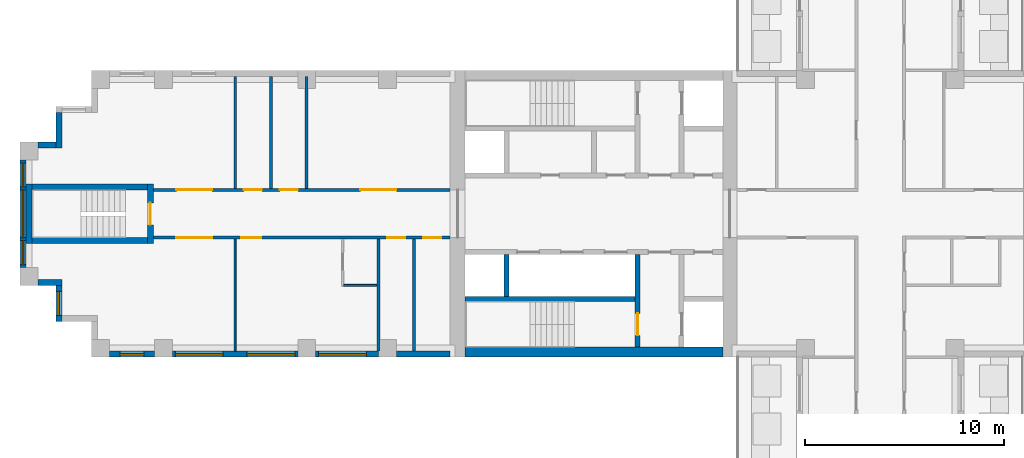
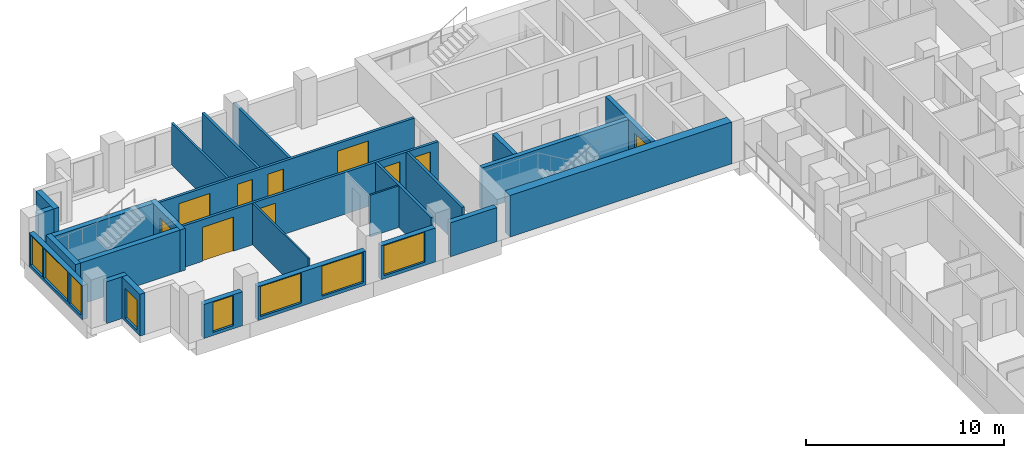
# One storey, part 5 of 13: 26 walls, 10 doors, 8 windows, 18 openings.
"""IFC4 building model written with IfcOpenShell, lengths in metres."""

from ifc_helpers import new_model, si_unit, direction, frame, frame_2d, origin, place, context, subcontext, project, spatial, rectangle, extrude, material, layer, layer_set, type_object, element, fill, save


model = new_model("IFC4")

# Units and contexts
model_context = context("Model", 3, precision=1e-05, world=origin(), true_north=direction((0.0, 1.0)))
body_context = subcontext(model_context, "Body", "Model", "MODEL_VIEW")
ifc_project = project(units=[si_unit("LENGTHUNIT", "METRE"), si_unit("AREAUNIT", "SQUARE_METRE"), si_unit("VOLUMEUNIT", "CUBIC_METRE"), si_unit("PLANEANGLEUNIT", "RADIAN"), si_unit("MASSUNIT", "GRAM", prefix="KILO")], contexts=[model_context])

# Site, building, storey
site_placement = place(None, origin())
site = spatial("IfcSite", under=ifc_project, at=site_placement, CompositionType="ELEMENT")
building_placement = place(site_placement, origin())
building = spatial("IfcBuilding", under=site, at=building_placement, Name="Fustian Cross Tower", CompositionType="ELEMENT")
storey_placement = place(building_placement, frame((0.0, 0.0, 75.89990234375)))
storey = spatial("IfcBuildingStorey", under=building, at=storey_placement, Name="L23", CompositionType="ELEMENT", Elevation=75.89990234375)

# Wall, openings, doors
ifc_material_1 = material(Name="Plasterboard on steel stud", Category="steel")
ifc_layer_1 = layer(ifc_material_1, 0.14990234375)
ifc_layer_set_1 = layer_set([ifc_layer_1], Name="Plasterboard on steel stud")
wall_type_1 = type_object("IfcWallType", Name="COMPARTMENT WALL 150 EI 60", PredefinedType="PARTITIONING", material=ifc_layer_set_1)
wall_1_placement = place(storey_placement, frame((-36.5, -1.199951171875, 0.0), z_axis=(0.0, 0.0, 1.0), x_axis=(1.0, 0.0, 0.0)))
wall_1 = element("IfcWall", 1, at=wall_1_placement, inside=storey, type_object=wall_type_1, Name="Partition 1", PredefinedType="PARTITIONING", context=body_context, shape_type="SweptSolid", body=[
    extrude(rectangle(XDim=14.89990234375, YDim=0.14990234375, at=frame_2d((7.449951171875, 0.0))), origin(), (0.0, 0.0, 1.0), 2.5751953125),
])
opening_1_placement = place(wall_1_placement, frame((13.550048828125, 0.0, 0.0)))
opening_1 = element("IfcOpeningElement", 2, at=opening_1_placement, cuts=wall_1, Name="Opening D12028", PredefinedType="OPENING", context=body_context, shape_type="SweptSolid", body=[
    extrude(rectangle(XDim=0.89990234375, YDim=2.10009765625, at=frame_2d((0.449951171875, 1.050048828125))), frame((0.0, 0.0849609375, 0.0), z_axis=(0.0, -1.0, 0.0), x_axis=(1.0, 0.0, 0.0)), (0.0, 0.0, 1.0), 0.169921875),
])
opening_2_placement = place(wall_1_placement, frame((11.75, 0.0, 0.0)))
opening_2 = element("IfcOpeningElement", 3, at=opening_2_placement, cuts=wall_1, Name="Opening D12029", PredefinedType="OPENING", context=body_context, shape_type="SweptSolid", body=[
    extrude(rectangle(XDim=0.89990234375, YDim=2.10009765625, at=frame_2d((0.449951171875, 1.050048828125))), frame((0.0, 0.0849609375, 0.0), z_axis=(0.0, -1.0, 0.0), x_axis=(1.0, 0.0, 0.0)), (0.0, 0.0, 1.0), 0.169921875),
])
opening_3_placement = place(wall_1_placement, frame((4.409912109375, 0.0, 0.0)))
opening_3 = element("IfcOpeningElement", 4, at=opening_3_placement, cuts=wall_1, Name="Opening D12031", PredefinedType="OPENING", context=body_context, shape_type="SweptSolid", body=[
    extrude(rectangle(XDim=1.0, YDim=2.10009765625, at=frame_2d((0.5, 1.050048828125))), frame((0.0, 0.0849609375, 0.0), z_axis=(0.0, -1.0, 0.0), x_axis=(1.0, 0.0, 0.0)), (0.0, 0.0, 1.0), 0.169921875),
])
opening_4_placement = place(wall_1_placement, frame((1.14990234375, 0.0, 0.0)))
opening_4 = element("IfcOpeningElement", 5, at=opening_4_placement, cuts=wall_1, Name="Opening D12032", PredefinedType="OPENING", context=body_context, shape_type="SweptSolid", body=[
    extrude(rectangle(XDim=1.800048828125, YDim=2.10009765625, at=frame_2d((0.89990234375, 1.050048828125))), frame((0.0, 0.0849609375, 0.0), z_axis=(0.0, -1.0, 0.0), x_axis=(1.0, 0.0, 0.0)), (0.0, 0.0, 1.0), 0.169921875),
])
ifc_material_2 = material(Name="Timber fire door set", Category="wood")
door_type_1 = type_object("IfcDoorType", Name="FIRE DOUBLE DOOR 1800 FD30S", OperationType="DOUBLE_DOOR_DOUBLE_SWING", PredefinedType="DOOR", material=ifc_material_2)
door_1_placement = place(opening_4_placement, origin())
door_1 = element("IfcDoor", 6, at=door_1_placement, inside=storey, type_object=door_type_1, Name="Door D12032", OperationType="DOUBLE_DOOR_DOUBLE_SWING", OverallHeight=2.10009765625, OverallWidth=1.800048828125, PredefinedType="DOOR", context=body_context, shape_type="SweptSolid", body=[
    extrude(rectangle(XDim=1.800048828125, YDim=2.10009765625, at=frame_2d((0.89990234375, 1.050048828125))), frame((0.0, 0.02490234375, 0.0), z_axis=(0.0, -1.0, 0.0), x_axis=(1.0, 0.0, 0.0)), (0.0, 0.0, 1.0), 0.050048828125),
])
fill(opening_4, door_1)
ifc_material_3 = material(Name="Timber fire door set", Category="wood")
door_type_2 = type_object("IfcDoorType", Name="FIRE SWING DOOR 1000 FD30S", OperationType="SINGLE_SWING_LEFT", PredefinedType="DOOR", material=ifc_material_3)
door_2_placement = place(opening_3_placement, frame((1.0, 0.0, 0.0), z_axis=(0.0, 0.0, 1.0), x_axis=(-1.0, 0.0, 0.0)))
door_2 = element("IfcDoor", 7, at=door_2_placement, inside=storey, type_object=door_type_2, Name="Door D12031", OperationType="SINGLE_SWING_RIGHT", OverallHeight=2.10009765625, OverallWidth=1.0, PredefinedType="DOOR", context=body_context, shape_type="SweptSolid", body=[
    extrude(rectangle(XDim=1.0, YDim=2.10009765625, at=frame_2d((0.5, 1.050048828125))), frame((0.0, 0.02490234375, 0.0), z_axis=(0.0, -1.0, 0.0), x_axis=(1.0, 0.0, 0.0)), (0.0, 0.0, 1.0), 0.050048828125),
])
fill(opening_3, door_2)
ifc_material_4 = material(Name="Timber fire door set", Category="wood")
door_type_3 = type_object("IfcDoorType", Name="FIRE SWING DOOR 900 FD30S", OperationType="SINGLE_SWING_LEFT", PredefinedType="DOOR", material=ifc_material_4)
door_3_placement = place(opening_1_placement, frame((0.89990234375, 0.0, 0.0), z_axis=(0.0, 0.0, 1.0), x_axis=(-1.0, 0.0, 0.0)))
door_3 = element("IfcDoor", 8, at=door_3_placement, inside=storey, type_object=door_type_3, Name="Door D12028", OperationType="SINGLE_SWING_LEFT", OverallHeight=2.10009765625, OverallWidth=0.89990234375, PredefinedType="DOOR", context=body_context, shape_type="SweptSolid", body=[
    extrude(rectangle(XDim=0.89990234375, YDim=2.10009765625, at=frame_2d((0.449951171875, 1.050048828125))), frame((0.0, 0.02490234375, 0.0), z_axis=(0.0, -1.0, 0.0), x_axis=(1.0, 0.0, 0.0)), (0.0, 0.0, 1.0), 0.050048828125),
])
fill(opening_1, door_3)
door_4_placement = place(opening_2_placement, frame((0.89990234375, 0.0, 0.0), z_axis=(0.0, 0.0, 1.0), x_axis=(-1.0, 0.0, 0.0)))
door_4 = element("IfcDoor", 9, at=door_4_placement, inside=storey, type_object=door_type_3, Name="Door D12029", OperationType="SINGLE_SWING_LEFT", OverallHeight=2.10009765625, OverallWidth=0.89990234375, PredefinedType="DOOR", context=body_context, shape_type="SweptSolid", body=[
    extrude(rectangle(XDim=0.89990234375, YDim=2.10009765625, at=frame_2d((0.449951171875, 1.050048828125))), frame((0.0, 0.02490234375, 0.0), z_axis=(0.0, -1.0, 0.0), x_axis=(1.0, 0.0, 0.0)), (0.0, 0.0, 1.0), 0.050048828125),
])
fill(opening_2, door_4)

wall_2_placement = place(storey_placement, frame((-36.5, 1.199951171875, 0.0), z_axis=(0.0, 0.0, 1.0), x_axis=(1.0, 0.0, 0.0)))
wall_2 = element("IfcWall", 10, at=wall_2_placement, inside=storey, type_object=wall_type_1, Name="Partition 2", PredefinedType="PARTITIONING", context=body_context, shape_type="SweptSolid", body=[
    extrude(rectangle(XDim=14.89990234375, YDim=0.14990234375, at=frame_2d((7.449951171875, 0.0))), origin(), (0.0, 0.0, 1.0), 2.5751953125),
])
opening_5_placement = place(wall_2_placement, frame((10.39990234375, 0.0, 0.0)))
opening_5 = element("IfcOpeningElement", 11, at=opening_5_placement, cuts=wall_2, Name="Opening D12033", PredefinedType="OPENING", context=body_context, shape_type="SweptSolid", body=[
    extrude(rectangle(XDim=1.800048828125, YDim=2.10009765625, at=frame_2d((0.89990234375, 1.050048828125))), frame((0.0, 0.0849609375, 0.0), z_axis=(0.0, -1.0, 0.0), x_axis=(1.0, 0.0, 0.0)), (0.0, 0.0, 1.0), 0.169921875),
])
opening_6_placement = place(wall_2_placement, frame((6.35009765625, 0.0, 0.0)))
opening_6 = element("IfcOpeningElement", 12, at=opening_6_placement, cuts=wall_2, Name="Opening D12034", PredefinedType="OPENING", context=body_context, shape_type="SweptSolid", body=[
    extrude(rectangle(XDim=0.89990234375, YDim=2.10009765625, at=frame_2d((0.449951171875, 1.050048828125))), frame((0.0, 0.0849609375, 0.0), z_axis=(0.0, -1.0, 0.0), x_axis=(1.0, 0.0, 0.0)), (0.0, 0.0, 1.0), 0.169921875),
])
opening_7_placement = place(wall_2_placement, frame((4.550048828125, 0.0, 0.0)))
opening_7 = element("IfcOpeningElement", 13, at=opening_7_placement, cuts=wall_2, Name="Opening D12035", PredefinedType="OPENING", context=body_context, shape_type="SweptSolid", body=[
    extrude(rectangle(XDim=0.89990234375, YDim=2.10009765625, at=frame_2d((0.449951171875, 1.050048828125))), frame((0.0, 0.0849609375, 0.0), z_axis=(0.0, -1.0, 0.0), x_axis=(1.0, 0.0, 0.0)), (0.0, 0.0, 1.0), 0.169921875),
])
opening_8_placement = place(wall_2_placement, frame((1.14990234375, 0.0, 0.0)))
opening_8 = element("IfcOpeningElement", 14, at=opening_8_placement, cuts=wall_2, Name="Opening D12036", PredefinedType="OPENING", context=body_context, shape_type="SweptSolid", body=[
    extrude(rectangle(XDim=1.800048828125, YDim=2.10009765625, at=frame_2d((0.89990234375, 1.050048828125))), frame((0.0, 0.0849609375, 0.0), z_axis=(0.0, -1.0, 0.0), x_axis=(1.0, 0.0, 0.0)), (0.0, 0.0, 1.0), 0.169921875),
])
door_5_placement = place(opening_5_placement, frame((1.800048828125, 0.0, 0.0), z_axis=(0.0, 0.0, 1.0), x_axis=(-1.0, 0.0, 0.0)))
door_5 = element("IfcDoor", 15, at=door_5_placement, inside=storey, type_object=door_type_1, Name="Door D12033", OperationType="DOUBLE_DOOR_DOUBLE_SWING", OverallHeight=2.10009765625, OverallWidth=1.800048828125, PredefinedType="DOOR", context=body_context, shape_type="SweptSolid", body=[
    extrude(rectangle(XDim=1.800048828125, YDim=2.10009765625, at=frame_2d((0.89990234375, 1.050048828125))), frame((0.0, 0.02490234375, 0.0), z_axis=(0.0, -1.0, 0.0), x_axis=(1.0, 0.0, 0.0)), (0.0, 0.0, 1.0), 0.050048828125),
])
fill(opening_5, door_5)
door_6_placement = place(opening_8_placement, frame((1.800048828125, 0.0, 0.0), z_axis=(0.0, 0.0, 1.0), x_axis=(-1.0, 0.0, 0.0)))
door_6 = element("IfcDoor", 16, at=door_6_placement, inside=storey, type_object=door_type_1, Name="Door D12036", OperationType="DOUBLE_DOOR_DOUBLE_SWING", OverallHeight=2.10009765625, OverallWidth=1.800048828125, PredefinedType="DOOR", context=body_context, shape_type="SweptSolid", body=[
    extrude(rectangle(XDim=1.800048828125, YDim=2.10009765625, at=frame_2d((0.89990234375, 1.050048828125))), frame((0.0, 0.02490234375, 0.0), z_axis=(0.0, -1.0, 0.0), x_axis=(1.0, 0.0, 0.0)), (0.0, 0.0, 1.0), 0.050048828125),
])
fill(opening_8, door_6)
door_7_placement = place(opening_6_placement, origin())
door_7 = element("IfcDoor", 17, at=door_7_placement, inside=storey, type_object=door_type_3, Name="Door D12034", OperationType="SINGLE_SWING_RIGHT", OverallHeight=2.10009765625, OverallWidth=0.89990234375, PredefinedType="DOOR", context=body_context, shape_type="SweptSolid", body=[
    extrude(rectangle(XDim=0.89990234375, YDim=2.10009765625, at=frame_2d((0.449951171875, 1.050048828125))), frame((0.0, 0.02490234375, 0.0), z_axis=(0.0, -1.0, 0.0), x_axis=(1.0, 0.0, 0.0)), (0.0, 0.0, 1.0), 0.050048828125),
])
fill(opening_6, door_7)
door_8_placement = place(opening_7_placement, origin())
door_8 = element("IfcDoor", 18, at=door_8_placement, inside=storey, type_object=door_type_3, Name="Door D12035", OperationType="SINGLE_SWING_RIGHT", OverallHeight=2.10009765625, OverallWidth=0.89990234375, PredefinedType="DOOR", context=body_context, shape_type="SweptSolid", body=[
    extrude(rectangle(XDim=0.89990234375, YDim=2.10009765625, at=frame_2d((0.449951171875, 1.050048828125))), frame((0.0, 0.02490234375, 0.0), z_axis=(0.0, -1.0, 0.0), x_axis=(1.0, 0.0, 0.0)), (0.0, 0.0, 1.0), 0.050048828125),
])
fill(opening_7, door_8)

# Walls
for number, where, z_axis, x_axis, name in (
    (19, (-30.60009765625, 1.27490234375, 0.0), (0.0, 0.0, 1.0), (0.0, 1.0, 0.0), "Partition 5"),
    (20, (-28.800048828125, 1.27490234375, 0.0), (0.0, 0.0, 1.0), (0.0, 1.0, 0.0), "Partition 6"),
    (21, (-25.199951171875, -6.89990234375, 0.0), (0.0, 0.0, 1.0), (0.0, 1.0, 0.0), "Partition 9"),
    (22, (-23.39990234375, -6.89990234375, 0.0), (0.0, 0.0, 1.0), (0.0, 1.0, 0.0), "Partition 10"),
):
    element("IfcWall", number, at=place(storey_placement, frame(where, z_axis=z_axis, x_axis=x_axis)), inside=storey, type_object=wall_type_1, Name=name, PredefinedType="PARTITIONING", context=body_context, shape_type="SweptSolid", body=[
        extrude(rectangle(XDim=5.625, YDim=0.14990234375, at=frame_2d((2.8125, 0.0))), origin(), (0.0, 0.0, 1.0), 2.5751953125),
    ])
ifc_material_5 = material(Name="Concrete C70/85", Category="concrete")
ifc_layer_2 = layer(ifc_material_5, 0.5)
ifc_layer_set_2 = layer_set([ifc_layer_2], Name="Concrete C70/85")
wall_type_2 = type_object("IfcWallType", Name="CORE FACADE WALL 500 C70/85", PredefinedType="SHEAR", material=ifc_layer_set_2)
wall_3_placement = place(storey_placement, frame((-7.89990234375, -6.949951171875, 0.0), z_axis=(0.0, 0.0, 1.0), x_axis=(-1.0, 0.0, 0.0)))
element("IfcWall", 23, at=wall_3_placement, inside=storey, type_object=wall_type_2, Name="Core facade wall", PredefinedType="SHEAR", context=body_context, shape_type="SweptSolid", body=[
    extrude(rectangle(XDim=12.9501953125, YDim=0.5, at=frame_2d((6.47509765625, 0.0))), origin(), (0.0, 0.0, 1.0), 2.5751953125),
])
ifc_material_6 = material(Name="Concrete C50/60", Category="concrete")
ifc_layer_3 = layer(ifc_material_6, 0.25)
ifc_layer_set_3 = layer_set([ifc_layer_3], Name="Concrete C50/60")
wall_type_3 = type_object("IfcWallType", Name="CORE SHAFT WALL 250 C50/60", PredefinedType="SHEAR", material=ifc_layer_set_3)
wall_4_placement = place(storey_placement, frame((-12.300048828125, -4.27490234375, 0.0), z_axis=(0.0, 0.0, 1.0), x_axis=(-1.0, 0.0, 0.0)))
element("IfcWall", 24, at=wall_4_placement, inside=storey, type_object=wall_type_3, Name="Core shaft wall", PredefinedType="SHEAR", context=body_context, shape_type="SweptSolid", body=[
    extrude(rectangle(XDim=8.550048828125, YDim=0.25, at=frame_2d((4.27490234375, 0.0))), origin(), (0.0, 0.0, 1.0), 2.5751953125),
])

# Wall, opening, door
wall_5_placement = place(storey_placement, frame((-12.175048828125, -2.050048828125, 0.0), z_axis=(0.0, 0.0, 1.0), x_axis=(0.0, -1.0, 0.0)))
wall_5 = element("IfcWall", 25, at=wall_5_placement, inside=storey, type_object=wall_type_3, Name="Core shaft wall", PredefinedType="SHEAR", context=body_context, shape_type="SweptSolid", body=[
    extrude(rectangle(XDim=4.64990234375, YDim=0.25, at=frame_2d((2.324951171875, 0.0))), origin(), (0.0, 0.0, 1.0), 2.5751953125),
])
opening_9_placement = place(wall_5_placement, frame((2.949951171875, 0.0, 0.0)))
opening_9 = element("IfcOpeningElement", 26, at=opening_9_placement, cuts=wall_5, Name="Opening CD-10-22", PredefinedType="OPENING", context=body_context, shape_type="SweptSolid", body=[
    extrude(rectangle(XDim=1.10009765625, YDim=2.10009765625, at=frame_2d((0.550048828125, 1.050048828125))), frame((0.0, 0.135009765625, 0.0), z_axis=(0.0, -1.0, 0.0), x_axis=(1.0, 0.0, 0.0)), (0.0, 0.0, 1.0), 0.27001953125),
])
ifc_material_7 = material(Name="Steel", Category="steel")
door_type_4 = type_object("IfcDoorType", Name="FIRE DOOR FD60S 1100X2100", OperationType="SINGLE_SWING_LEFT", PredefinedType="DOOR", material=ifc_material_7)
door_9_placement = place(opening_9_placement, frame((1.10009765625, 0.0, 0.0), z_axis=(0.0, 0.0, 1.0), x_axis=(-1.0, 0.0, 0.0)))
door_9 = element("IfcDoor", 27, at=door_9_placement, inside=storey, type_object=door_type_4, Name="Core door CD-10-22", OperationType="SINGLE_SWING_RIGHT", OverallHeight=2.10009765625, OverallWidth=1.10009765625, PredefinedType="DOOR", context=body_context, shape_type="SweptSolid", body=[
    extrude(rectangle(XDim=1.10009765625, YDim=2.10009765625, at=frame_2d((0.550048828125, 1.050048828125))), frame((0.0, 0.02490234375, 0.0), z_axis=(0.0, -1.0, 0.0), x_axis=(1.0, 0.0, 0.0)), (0.0, 0.0, 1.0), 0.050048828125),
])
fill(opening_9, door_9)

# Walls
ifc_material_8 = material(Name="Plasterboard on steel stud", Category="steel")
ifc_layer_4 = layer(ifc_material_8, 0.10009765625)
ifc_layer_set_4 = layer_set([ifc_layer_4], Name="Plasterboard on steel stud")
wall_type_4 = type_object("IfcWallType", Name="PARTITION 100 STUD", PredefinedType="PARTITIONING", material=ifc_layer_set_4)
wall_6_placement = place(storey_placement, frame((-32.39990234375, -6.89990234375, 0.0), z_axis=(0.0, 0.0, 1.0), x_axis=(0.0, 1.0, 0.0)))
element("IfcWall", 28, at=wall_6_placement, inside=storey, type_object=wall_type_4, Name="Partition 3", PredefinedType="PARTITIONING", context=body_context, shape_type="SweptSolid", body=[
    extrude(rectangle(XDim=5.625, YDim=0.10009765625, at=frame_2d((2.8125, 0.0))), origin(), (0.0, 0.0, 1.0), 2.5751953125),
])
wall_7_placement = place(storey_placement, frame((-26.949951171875, -3.60009765625, 0.0), z_axis=(0.0, 0.0, 1.0), x_axis=(1.0, 0.0, 0.0)))
element("IfcWall", 29, at=wall_7_placement, inside=storey, type_object=wall_type_4, Name="Partition 8", PredefinedType="PARTITIONING", context=body_context, shape_type="SweptSolid", body=[
    extrude(rectangle(XDim=1.675048828125, YDim=0.10009765625, at=frame_2d((0.83740234375, 0.0))), origin(), (0.0, 0.0, 1.0), 2.5751953125),
])
ifc_material_9 = material(Name="Concrete C40/50", Category="concrete")
ifc_layer_5 = layer(ifc_material_9, 0.25)
ifc_layer_set_5 = layer_set([ifc_layer_5], Name="Concrete C40/50")
wall_type_5 = type_object("IfcWallType", Name="SHAFT PARTITION WALL 250 C40/50", PredefinedType="PARTITIONING", material=ifc_layer_set_5)
wall_8_placement = place(storey_placement, frame((-18.77490234375, -2.050048828125, 0.0), z_axis=(0.0, 0.0, 1.0), x_axis=(0.0, -1.0, 0.0)))
element("IfcWall", 30, at=wall_8_placement, inside=storey, type_object=wall_type_5, Name="Core shaft wall", PredefinedType="PARTITIONING", context=body_context, shape_type="SweptSolid", body=[
    extrude(rectangle(XDim=2.099853515625, YDim=0.25, at=frame_2d((1.0498046875, 0.0))), origin(), (0.0, 0.0, 1.0), 2.5751953125),
])

# Wall, opening, door
ifc_material_10 = material(Name="Concrete C50/60", Category="concrete")
ifc_layer_6 = layer(ifc_material_10, 0.300048828125)
ifc_layer_set_6 = layer_set([ifc_layer_6], Name="Concrete C50/60")
wall_type_6 = type_object("IfcWallType", Name="STAIR ENCLOSURE WALL 300 C50/60", PredefinedType="SHEAR", material=ifc_layer_set_6)
wall_9_placement = place(storey_placement, frame((-36.64990234375, -1.5, 0.0), z_axis=(0.0, 0.0, 1.0), x_axis=(0.0, 1.0, 0.0)))
wall_9 = element("IfcWall", 31, at=wall_9_placement, inside=storey, type_object=wall_type_6, Name="Stair enclosure wall", PredefinedType="SHEAR", context=body_context, shape_type="SweptSolid", body=[
    extrude(rectangle(XDim=3.0, YDim=0.300048828125, at=frame_2d((1.5, 0.0))), origin(), (0.0, 0.0, 1.0), 2.5751953125),
])
opening_10_placement = place(wall_9_placement, frame((0.949951171875, 0.0, 0.0)))
opening_10 = element("IfcOpeningElement", 32, at=opening_10_placement, cuts=wall_9, Name="Opening CD-10-33", PredefinedType="OPENING", context=body_context, shape_type="SweptSolid", body=[
    extrude(rectangle(XDim=1.10009765625, YDim=2.10009765625, at=frame_2d((0.550048828125, 1.050048828125))), frame((0.0, 0.159912109375, 0.0), z_axis=(0.0, -1.0, 0.0), x_axis=(1.0, 0.0, 0.0)), (0.0, 0.0, 1.0), 0.320068359375),
])
door_10_placement = place(opening_10_placement, origin())
door_10 = element("IfcDoor", 33, at=door_10_placement, inside=storey, type_object=door_type_4, Name="Core door CD-10-33", OperationType="SINGLE_SWING_LEFT", OverallHeight=2.10009765625, OverallWidth=1.10009765625, PredefinedType="DOOR", context=body_context, shape_type="SweptSolid", body=[
    extrude(rectangle(XDim=1.10009765625, YDim=2.10009765625, at=frame_2d((0.550048828125, 1.050048828125))), frame((0.0, 0.02490234375, 0.0), z_axis=(0.0, -1.0, 0.0), x_axis=(1.0, 0.0, 0.0)), (0.0, 0.0, 1.0), 0.050048828125),
])
fill(opening_10, door_10)

# Walls
wall_10_placement = place(storey_placement, frame((-42.75, -1.5, 0.0), z_axis=(0.0, 0.0, 1.0), x_axis=(0.0, 1.0, 0.0)))
element("IfcWall", 34, at=wall_10_placement, inside=storey, type_object=wall_type_6, Name="Stair enclosure wall", PredefinedType="SHEAR", context=body_context, shape_type="SweptSolid", body=[
    extrude(rectangle(XDim=3.0, YDim=0.300048828125, at=frame_2d((1.5, 0.0))), origin(), (0.0, 0.0, 1.0), 2.5751953125),
])
for number, where, z_axis, x_axis, name in (
    (35, (-36.800048828125, -1.35009765625, 0.0), (0.0, 0.0, 1.0), (-1.0, 0.0, 0.0), "Stair enclosure wall"),
    (36, (-36.800048828125, 1.35009765625, 0.0), (0.0, 0.0, 1.0), (-1.0, 0.0, 0.0), "Stair enclosure wall"),
):
    element("IfcWall", number, at=place(storey_placement, frame(where, z_axis=z_axis, x_axis=x_axis)), inside=storey, type_object=wall_type_6, Name=name, PredefinedType="SHEAR", context=body_context, shape_type="SweptSolid", body=[
        extrude(rectangle(XDim=5.800048828125, YDim=0.300048828125, at=frame_2d((2.89990234375, 0.0))), origin(), (0.0, 0.0, 1.0), 2.5751953125),
    ])
ifc_material_11 = material(Name="Plasterboard on steel stud", Category="steel")
ifc_layer_7 = layer(ifc_material_11, 0.125)
ifc_layer_set_7 = layer_set([ifc_layer_7], Name="Plasterboard on steel stud")
wall_type_7 = type_object("IfcWallType", Name="WET WALL 125 STUD", PredefinedType="PARTITIONING", material=ifc_layer_set_7)
wall_11_placement = place(storey_placement, frame((-32.39990234375, 1.27490234375, 0.0), z_axis=(0.0, 0.0, 1.0), x_axis=(0.0, 1.0, 0.0)))
element("IfcWall", 37, at=wall_11_placement, inside=storey, type_object=wall_type_7, Name="Partition 4", PredefinedType="PARTITIONING", context=body_context, shape_type="SweptSolid", body=[
    extrude(rectangle(XDim=5.625, YDim=0.125, at=frame_2d((2.8125, 0.0))), origin(), (0.0, 0.0, 1.0), 2.5751953125),
])
ifc_material_12 = material(Name="Dark aluminium cladding on insulated backing wall", Category="aluminium")
ifc_layer_8 = layer(ifc_material_12, 0.300048828125)
ifc_layer_set_8 = layer_set([ifc_layer_8], Name="Dark aluminium cladding on insulated backing wall")
wall_type_8 = type_object("IfcWallType", Name="XW1 EXTERNAL WALL 300", PredefinedType="SOLIDWALL", material=ifc_layer_set_8)
wall_12_placement = place(storey_placement, frame((-41.25, 5.10009765625, 0.0), z_axis=(0.0, 0.0, 1.0), x_axis=(0.0, -1.0, 0.0)))
element("IfcWall", 38, at=wall_12_placement, inside=storey, type_object=wall_type_8, Name="External wall", PredefinedType="SOLIDWALL", context=body_context, shape_type="SweptSolid", body=[
    extrude(rectangle(XDim=1.800048828125, YDim=0.300048828125, at=frame_2d((0.89990234375, 0.0))), origin(), (0.0, 0.0, 1.0), 2.5751953125),
])
wall_13_placement = place(storey_placement, frame((-41.39990234375, 3.449951171875, 0.0), z_axis=(0.0, 0.0, 1.0), x_axis=(-1.0, 0.0, 0.0)))
element("IfcWall", 39, at=wall_13_placement, inside=storey, type_object=wall_type_8, Name="External wall", PredefinedType="SOLIDWALL", context=body_context, shape_type="SweptSolid", body=[
    extrude(rectangle(XDim=0.900146484375, YDim=0.300048828125, at=frame_2d((0.4501953125, 0.0))), origin(), (0.0, 0.0, 1.0), 2.5751953125),
])

# Wall, openings, windows
wall_14_placement = place(storey_placement, frame((-43.050048828125, 2.699951171875, 0.0), z_axis=(0.0, 0.0, 1.0), x_axis=(0.0, -1.0, 0.0)))
wall_14 = element("IfcWall", 40, at=wall_14_placement, inside=storey, type_object=wall_type_8, Name="External wall", PredefinedType="SOLIDWALL", context=body_context, shape_type="SweptSolid", body=[
    extrude(rectangle(XDim=5.39990234375, YDim=0.300048828125, at=frame_2d((2.699951171875, 0.0))), origin(), (0.0, 0.0, 1.0), 2.10009765625),
])
opening_11_placement = place(wall_14_placement, frame((1.5, 0.0, 0.199951171875)))
opening_11 = element("IfcOpeningElement", 41, at=opening_11_placement, cuts=wall_14, Name="Opening WN1", PredefinedType="OPENING", context=body_context, shape_type="SweptSolid", body=[
    extrude(rectangle(XDim=2.39990234375, YDim=1.85009765625, at=frame_2d((1.199951171875, 0.925048828125))), frame((0.0, 0.159912109375, 0.0), z_axis=(0.0, -1.0, 0.0), x_axis=(1.0, 0.0, 0.0)), (0.0, 0.0, 1.0), 0.320068359375),
])
opening_12_placement = place(wall_14_placement, frame((0.14990234375, 0.0, 0.199951171875)))
opening_12 = element("IfcOpeningElement", 42, at=opening_12_placement, cuts=wall_14, Name="Opening WN3", PredefinedType="OPENING", context=body_context, shape_type="SweptSolid", body=[
    extrude(rectangle(XDim=1.199951171875, YDim=1.85009765625, at=frame_2d((0.60009765625, 0.925048828125))), frame((0.0, 0.159912109375, 0.0), z_axis=(0.0, -1.0, 0.0), x_axis=(1.0, 0.0, 0.0)), (0.0, 0.0, 1.0), 0.320068359375),
])
opening_13_placement = place(wall_14_placement, frame((4.050048828125, 0.0, 0.199951171875)))
opening_13 = element("IfcOpeningElement", 43, at=opening_13_placement, cuts=wall_14, Name="Opening WN3", PredefinedType="OPENING", context=body_context, shape_type="SweptSolid", body=[
    extrude(rectangle(XDim=1.199951171875, YDim=1.85009765625, at=frame_2d((0.60009765625, 0.925048828125))), frame((0.0, 0.159912109375, 0.0), z_axis=(0.0, -1.0, 0.0), x_axis=(1.0, 0.0, 0.0)), (0.0, 0.0, 1.0), 0.320068359375),
])
ifc_material_13 = material(Name="Dark anodised aluminium and double glazing", Category="aluminium")
window_type_1 = type_object("IfcWindowType", Name="WN1 WINDOW 2400X1850", PartitioningType="SINGLE_PANEL", PredefinedType="WINDOW", material=ifc_material_13)
window_1_placement = place(opening_11_placement, origin())
window_1 = element("IfcWindow", 44, at=window_1_placement, inside=storey, type_object=window_type_1, Name="Window", OverallHeight=1.85009765625, OverallWidth=2.39990234375, PartitioningType="SINGLE_PANEL", PredefinedType="WINDOW", context=body_context, shape_type="SweptSolid", body=[
    extrude(rectangle(XDim=2.39990234375, YDim=1.85009765625, at=frame_2d((1.199951171875, 0.925048828125))), frame((0.0, 0.030029296875, 0.0), z_axis=(0.0, -1.0, 0.0), x_axis=(1.0, 0.0, 0.0)), (0.0, 0.0, 1.0), 0.06005859375),
])
fill(opening_11, window_1)
ifc_material_14 = material(Name="Dark anodised aluminium and double glazing", Category="aluminium")
window_type_2 = type_object("IfcWindowType", Name="WN3 WINDOW 1200X1850", PartitioningType="SINGLE_PANEL", PredefinedType="WINDOW", material=ifc_material_14)
window_2_placement = place(opening_12_placement, origin())
window_2 = element("IfcWindow", 45, at=window_2_placement, inside=storey, type_object=window_type_2, Name="Window", OverallHeight=1.85009765625, OverallWidth=1.199951171875, PartitioningType="SINGLE_PANEL", PredefinedType="WINDOW", context=body_context, shape_type="SweptSolid", body=[
    extrude(rectangle(XDim=1.199951171875, YDim=1.85009765625, at=frame_2d((0.60009765625, 0.925048828125))), frame((0.0, 0.030029296875, 0.0), z_axis=(0.0, -1.0, 0.0), x_axis=(1.0, 0.0, 0.0)), (0.0, 0.0, 1.0), 0.06005859375),
])
fill(opening_12, window_2)
window_3_placement = place(opening_13_placement, origin())
window_3 = element("IfcWindow", 46, at=window_3_placement, inside=storey, type_object=window_type_2, Name="Window", OverallHeight=1.85009765625, OverallWidth=1.199951171875, PartitioningType="SINGLE_PANEL", PredefinedType="WINDOW", context=body_context, shape_type="SweptSolid", body=[
    extrude(rectangle(XDim=1.199951171875, YDim=1.85009765625, at=frame_2d((0.60009765625, 0.925048828125))), frame((0.0, 0.030029296875, 0.0), z_axis=(0.0, -1.0, 0.0), x_axis=(1.0, 0.0, 0.0)), (0.0, 0.0, 1.0), 0.06005859375),
])
fill(opening_13, window_3)

# Wall
wall_15_placement = place(storey_placement, frame((-42.300048828125, -3.449951171875, 0.0), z_axis=(0.0, 0.0, 1.0), x_axis=(1.0, 0.0, 0.0)))
element("IfcWall", 47, at=wall_15_placement, inside=storey, type_object=wall_type_8, Name="External wall", PredefinedType="SOLIDWALL", context=body_context, shape_type="SweptSolid", body=[
    extrude(rectangle(XDim=1.199951171875, YDim=0.300048828125, at=frame_2d((0.60009765625, 0.0))), origin(), (0.0, 0.0, 1.0), 2.5751953125),
])

# Wall, opening, window
wall_16_placement = place(storey_placement, frame((-41.25, -3.60009765625, 0.0), z_axis=(0.0, 0.0, 1.0), x_axis=(0.0, -1.0, 0.0)))
wall_16 = element("IfcWall", 48, at=wall_16_placement, inside=storey, type_object=wall_type_8, Name="External wall", PredefinedType="SOLIDWALL", context=body_context, shape_type="SweptSolid", body=[
    extrude(rectangle(XDim=1.7998046875, YDim=0.300048828125, at=frame_2d((0.89990234375, 0.0))), origin(), (0.0, 0.0, 1.0), 2.5751953125),
])
opening_14_placement = place(wall_16_placement, frame((0.300048828125, 0.0, 0.199951171875)))
opening_14 = element("IfcOpeningElement", 49, at=opening_14_placement, cuts=wall_16, Name="Opening WN3", PredefinedType="OPENING", context=body_context, shape_type="SweptSolid", body=[
    extrude(rectangle(XDim=1.199951171875, YDim=1.85009765625, at=frame_2d((0.60009765625, 0.925048828125))), frame((0.0, 0.159912109375, 0.0), z_axis=(0.0, -1.0, 0.0), x_axis=(1.0, 0.0, 0.0)), (0.0, 0.0, 1.0), 0.320068359375),
])
window_4_placement = place(opening_14_placement, origin())
window_4 = element("IfcWindow", 50, at=window_4_placement, inside=storey, type_object=window_type_2, Name="Window", OverallHeight=1.85009765625, OverallWidth=1.199951171875, PartitioningType="SINGLE_PANEL", PredefinedType="WINDOW", context=body_context, shape_type="SweptSolid", body=[
    extrude(rectangle(XDim=1.199951171875, YDim=1.85009765625, at=frame_2d((0.60009765625, 0.925048828125))), frame((0.0, 0.030029296875, 0.0), z_axis=(0.0, -1.0, 0.0), x_axis=(1.0, 0.0, 0.0)), (0.0, 0.0, 1.0), 0.06005859375),
])
fill(opening_14, window_4)

wall_17_placement = place(storey_placement, frame((-38.699951171875, -7.050048828125, 0.0), z_axis=(0.0, 0.0, 1.0), x_axis=(1.0, 0.0, 0.0)))
wall_17 = element("IfcWall", 51, at=wall_17_placement, inside=storey, type_object=wall_type_8, Name="External wall", PredefinedType="SOLIDWALL", context=body_context, shape_type="SweptSolid", body=[
    extrude(rectangle(XDim=2.25, YDim=0.300048828125, at=frame_2d((1.125, 0.0))), origin(), (0.0, 0.0, 1.0), 2.10009765625),
])
opening_15_placement = place(wall_17_placement, frame((0.52490234375, 0.0, 0.199951171875)))
opening_15 = element("IfcOpeningElement", 52, at=opening_15_placement, cuts=wall_17, Name="Opening WN3", PredefinedType="OPENING", context=body_context, shape_type="SweptSolid", body=[
    extrude(rectangle(XDim=1.199951171875, YDim=1.85009765625, at=frame_2d((0.60009765625, 0.925048828125))), frame((0.0, 0.159912109375, 0.0), z_axis=(0.0, -1.0, 0.0), x_axis=(1.0, 0.0, 0.0)), (0.0, 0.0, 1.0), 0.320068359375),
])
window_5_placement = place(opening_15_placement, origin())
window_5 = element("IfcWindow", 53, at=window_5_placement, inside=storey, type_object=window_type_2, Name="Window", OverallHeight=1.85009765625, OverallWidth=1.199951171875, PartitioningType="SINGLE_PANEL", PredefinedType="WINDOW", context=body_context, shape_type="SweptSolid", body=[
    extrude(rectangle(XDim=1.199951171875, YDim=1.85009765625, at=frame_2d((0.60009765625, 0.925048828125))), frame((0.0, 0.030029296875, 0.0), z_axis=(0.0, -1.0, 0.0), x_axis=(1.0, 0.0, 0.0)), (0.0, 0.0, 1.0), 0.06005859375),
])
fill(opening_15, window_5)

# Wall, openings, windows
wall_18_placement = place(storey_placement, frame((-35.550048828125, -7.050048828125, 0.0), z_axis=(0.0, 0.0, 1.0), x_axis=(1.0, 0.0, 0.0)))
wall_18 = element("IfcWall", 54, at=wall_18_placement, inside=storey, type_object=wall_type_8, Name="External wall", PredefinedType="SOLIDWALL", context=body_context, shape_type="SweptSolid", body=[
    extrude(rectangle(XDim=6.300048828125, YDim=0.300048828125, at=frame_2d((3.14990234375, 0.0))), origin(), (0.0, 0.0, 1.0), 2.10009765625),
])
opening_16_placement = place(wall_18_placement, frame((0.14990234375, 0.0, 0.199951171875)))
opening_16 = element("IfcOpeningElement", 55, at=opening_16_placement, cuts=wall_18, Name="Opening WN1", PredefinedType="OPENING", context=body_context, shape_type="SweptSolid", body=[
    extrude(rectangle(XDim=2.39990234375, YDim=1.85009765625, at=frame_2d((1.199951171875, 0.925048828125))), frame((0.0, 0.159912109375, 0.0), z_axis=(0.0, -1.0, 0.0), x_axis=(1.0, 0.0, 0.0)), (0.0, 0.0, 1.0), 0.320068359375),
])
opening_17_placement = place(wall_18_placement, frame((3.75, 0.0, 0.199951171875)))
opening_17 = element("IfcOpeningElement", 56, at=opening_17_placement, cuts=wall_18, Name="Opening WN1", PredefinedType="OPENING", context=body_context, shape_type="SweptSolid", body=[
    extrude(rectangle(XDim=2.39990234375, YDim=1.85009765625, at=frame_2d((1.199951171875, 0.925048828125))), frame((0.0, 0.159912109375, 0.0), z_axis=(0.0, -1.0, 0.0), x_axis=(1.0, 0.0, 0.0)), (0.0, 0.0, 1.0), 0.320068359375),
])
window_6_placement = place(opening_16_placement, origin())
window_6 = element("IfcWindow", 57, at=window_6_placement, inside=storey, type_object=window_type_1, Name="Window", OverallHeight=1.85009765625, OverallWidth=2.39990234375, PartitioningType="SINGLE_PANEL", PredefinedType="WINDOW", context=body_context, shape_type="SweptSolid", body=[
    extrude(rectangle(XDim=2.39990234375, YDim=1.85009765625, at=frame_2d((1.199951171875, 0.925048828125))), frame((0.0, 0.030029296875, 0.0), z_axis=(0.0, -1.0, 0.0), x_axis=(1.0, 0.0, 0.0)), (0.0, 0.0, 1.0), 0.06005859375),
])
fill(opening_16, window_6)
window_7_placement = place(opening_17_placement, origin())
window_7 = element("IfcWindow", 58, at=window_7_placement, inside=storey, type_object=window_type_1, Name="Window", OverallHeight=1.85009765625, OverallWidth=2.39990234375, PartitioningType="SINGLE_PANEL", PredefinedType="WINDOW", context=body_context, shape_type="SweptSolid", body=[
    extrude(rectangle(XDim=2.39990234375, YDim=1.85009765625, at=frame_2d((1.199951171875, 0.925048828125))), frame((0.0, 0.030029296875, 0.0), z_axis=(0.0, -1.0, 0.0), x_axis=(1.0, 0.0, 0.0)), (0.0, 0.0, 1.0), 0.06005859375),
])
fill(opening_17, window_7)

# Wall, opening, window
wall_19_placement = place(storey_placement, frame((-28.35009765625, -7.050048828125, 0.0), z_axis=(0.0, 0.0, 1.0), x_axis=(1.0, 0.0, 0.0)))
wall_19 = element("IfcWall", 59, at=wall_19_placement, inside=storey, type_object=wall_type_8, Name="External wall", PredefinedType="SOLIDWALL", context=body_context, shape_type="SweptSolid", body=[
    extrude(rectangle(XDim=3.150146484375, YDim=0.300048828125, at=frame_2d((1.5751953125, 0.0))), origin(), (0.0, 0.0, 1.0), 2.10009765625),
])
opening_18_placement = place(wall_19_placement, frame((0.14990234375, 0.0, 0.199951171875)))
opening_18 = element("IfcOpeningElement", 60, at=opening_18_placement, cuts=wall_19, Name="Opening WN1", PredefinedType="OPENING", context=body_context, shape_type="SweptSolid", body=[
    extrude(rectangle(XDim=2.39990234375, YDim=1.85009765625, at=frame_2d((1.199951171875, 0.925048828125))), frame((0.0, 0.159912109375, 0.0), z_axis=(0.0, -1.0, 0.0), x_axis=(1.0, 0.0, 0.0)), (0.0, 0.0, 1.0), 0.320068359375),
])
window_8_placement = place(opening_18_placement, origin())
window_8 = element("IfcWindow", 61, at=window_8_placement, inside=storey, type_object=window_type_1, Name="Window", OverallHeight=1.85009765625, OverallWidth=2.39990234375, PartitioningType="SINGLE_PANEL", PredefinedType="WINDOW", context=body_context, shape_type="SweptSolid", body=[
    extrude(rectangle(XDim=2.39990234375, YDim=1.85009765625, at=frame_2d((1.199951171875, 0.925048828125))), frame((0.0, 0.030029296875, 0.0), z_axis=(0.0, -1.0, 0.0), x_axis=(1.0, 0.0, 0.0)), (0.0, 0.0, 1.0), 0.06005859375),
])
fill(opening_18, window_8)

# Wall
wall_20_placement = place(storey_placement, frame((-24.300048828125, -7.050048828125, 0.0), z_axis=(0.0, 0.0, 1.0), x_axis=(1.0, 0.0, 0.0)))
element("IfcWall", 62, at=wall_20_placement, inside=storey, type_object=wall_type_8, Name="External wall", PredefinedType="SOLIDWALL", context=body_context, shape_type="SweptSolid", body=[
    extrude(rectangle(XDim=2.699951171875, YDim=0.300048828125, at=frame_2d((1.35009765625, 0.0))), origin(), (0.0, 0.0, 1.0), 2.10009765625),
])

save(model, "model.ifc")
